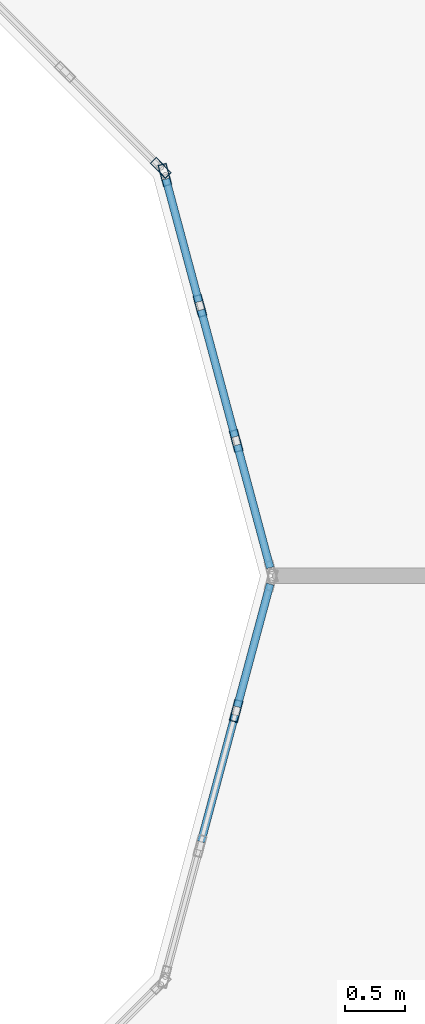
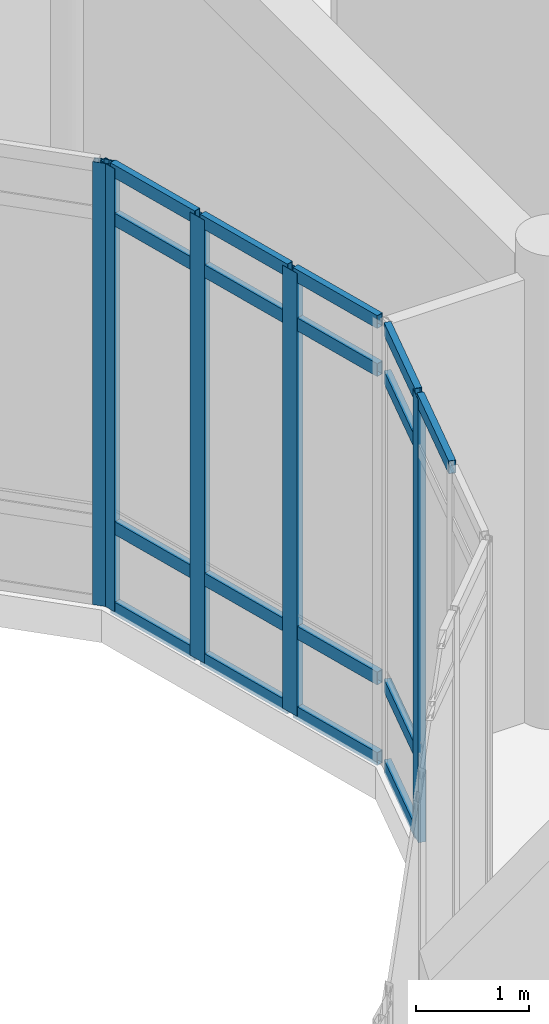
# One storey, part 33 of 134: 22 members, 3 elements without a shape of their own.
"""IFC4 building model written with IfcOpenShell, lengths in metres."""

from ifc_helpers import new_model, si_unit, direction, frame, origin, origin_2d, place, context, subcontext, project, spatial, hollow_rectangle, extrude, material, layer, layer_set, material_profile, profile_set, type_object, element, aggregate, save


model = new_model("IFC4")

# Units and contexts
model_context = context("Model", 3, precision=1e-05, world=origin(), true_north=direction((0.0, 1.0)))
body_context = subcontext(model_context, "Body", "Model", "MODEL_VIEW")
ifc_project = project(units=[si_unit("LENGTHUNIT", "METRE"), si_unit("AREAUNIT", "SQUARE_METRE"), si_unit("VOLUMEUNIT", "CUBIC_METRE"), si_unit("PLANEANGLEUNIT", "RADIAN"), si_unit("MASSUNIT", "GRAM", prefix="KILO")], contexts=[model_context])

# Site, building, storey
site_placement = place(None, origin())
site = spatial("IfcSite", under=ifc_project, at=site_placement, CompositionType="ELEMENT")
building_placement = place(site_placement, origin())
building = spatial("IfcBuilding", under=site, at=building_placement, Name="Bramfleet General Hospital", CompositionType="ELEMENT")
storey_placement = place(building_placement, frame((0.0, 0.0, 9.300048828125)))
storey = spatial("IfcBuildingStorey", under=building, at=storey_placement, Name="L02", CompositionType="ELEMENT", Elevation=9.300048828125)

# Curtain wall, member
ifc_material_1 = material(Name="Anodised aluminium and low-E triple glazing", Category="aluminium")
ifc_layer_1 = layer(ifc_material_1, 0.179931640625, Name="CWT-CW-18")
ifc_layer_set_1 = layer_set([ifc_layer_1], Name="Anodised aluminium and low-E triple glazing")
curtain_wall_type_1 = type_object("IfcCurtainWallType", Name="CWT-CW-18", PredefinedType="USERDEFINED", material=ifc_layer_set_1)
curtain_wall_1_placement = place(storey_placement, origin())
curtain_wall_1 = element("IfcCurtainWall", 1, at=curtain_wall_1_placement, inside=storey, type_object=curtain_wall_type_1, Name="L02 West Clinical Light Court Curtain Wall 6.1", ObjectType="Stick curtain wall", PredefinedType="USERDEFINED")
ifc_material_2 = material(Name="Anodised aluminium EN AW-6060", Category="aluminium")
ifc_material_profile_1 = material_profile(ifc_material_2, hollow_rectangle(XDim=0.070068359375, YDim=0.179931640625, WallThickness=0.00390625, at=origin_2d()), Name="ALU 180x70x4.0")
ifc_profile_set_1 = profile_set([ifc_material_profile_1], Name="Anodised aluminium EN AW-6060")
member_type_1 = type_object("IfcMemberType", Name="CWM-ALU180", PredefinedType="MULLION", material=ifc_profile_set_1)
member_1_placement = place(storey_placement, frame((31.6005859375, 82.88330078125, 0.0), z_axis=(0.0, 0.0, 1.0), x_axis=(-0.965899136003, 0.25891863407, 0.0)))
member_1 = element("IfcMember", 2, at=member_1_placement, type_object=member_type_1, Name="CW-18 mullion 3", PredefinedType="MULLION", context=body_context, shape_type="SweptSolid", body=[
    extrude(hollow_rectangle(XDim=0.070068359375, YDim=0.179931640625, WallThickness=0.00390625, at=origin_2d()), origin(), (0.0, 0.0, 1.0), 4.77001953125),
])

# Curtain wall, members
ifc_layer_2 = layer(ifc_material_1, 0.179931640625, Name="CWT-CW-11")
ifc_layer_set_2 = layer_set([ifc_layer_2], Name="Anodised aluminium and low-E triple glazing")
curtain_wall_type_2 = type_object("IfcCurtainWallType", Name="CWT-CW-11", PredefinedType="USERDEFINED", material=ifc_layer_set_2)
curtain_wall_2_placement = place(storey_placement, origin())
curtain_wall_2 = element("IfcCurtainWall", 3, at=curtain_wall_2_placement, inside=storey, type_object=curtain_wall_type_2, Name="L02 West Clinical Light Court Curtain Wall 7.1", ObjectType="Stick curtain wall", PredefinedType="USERDEFINED")
member_2_placement = place(storey_placement, frame((31.6005859375, 85.11669921875, 0.0), z_axis=(0.0, 0.0, 1.0), x_axis=(-0.965899136003, -0.25891863407, 0.0)))
member_2 = element("IfcMember", 4, at=member_2_placement, type_object=member_type_1, Name="CW-11 mullion 2", PredefinedType="MULLION", context=body_context, shape_type="SweptSolid", body=[
    extrude(hollow_rectangle(XDim=0.070068359375, YDim=0.179931640625, WallThickness=0.00390625, at=origin_2d()), origin(), (0.0, 0.0, 1.0), 4.77001953125),
])
member_3_placement = place(storey_placement, frame((31.30126953125, 86.2333984375, 0.0), z_axis=(0.0, 0.0, 1.0), x_axis=(-0.965899136003, -0.25891863407, 0.0)))
member_3 = element("IfcMember", 5, at=member_3_placement, type_object=member_type_1, Name="CW-11 mullion 3", PredefinedType="MULLION", context=body_context, shape_type="SweptSolid", body=[
    extrude(hollow_rectangle(XDim=0.070068359375, YDim=0.179931640625, WallThickness=0.00390625, at=origin_2d()), origin(), (0.0, 0.0, 1.0), 4.77001953125),
])
member_4_placement = place(storey_placement, frame((31.010986328125, 87.316162109375, 0.0), z_axis=(0.0, 0.0, 1.0), x_axis=(-0.965899136003, -0.25891863407, 0.0)))
member_4 = element("IfcMember", 6, at=member_4_placement, type_object=member_type_1, Name="CW-11 mullion 4", PredefinedType="MULLION", context=body_context, shape_type="SweptSolid", body=[
    extrude(hollow_rectangle(XDim=0.070068359375, YDim=0.179931640625, WallThickness=0.00390625, at=origin_2d()), origin(), (0.0, 0.0, 1.0), 4.77001953125),
])

# Curtain wall, member
ifc_layer_3 = layer(ifc_material_1, 0.179931640625, Name="CWT-CW-12")
ifc_layer_set_3 = layer_set([ifc_layer_3], Name="Anodised aluminium and low-E triple glazing")
curtain_wall_type_3 = type_object("IfcCurtainWallType", Name="CWT-CW-12", PredefinedType="USERDEFINED", material=ifc_layer_set_3)
curtain_wall_3_placement = place(storey_placement, origin())
curtain_wall_3 = element("IfcCurtainWall", 7, at=curtain_wall_3_placement, inside=storey, type_object=curtain_wall_type_3, Name="L02 West Clinical Light Court Curtain Wall 8.1", ObjectType="Stick curtain wall", PredefinedType="USERDEFINED")
member_5_placement = place(storey_placement, frame((30.977294921875, 87.374755859375, 0.0), z_axis=(0.0, 0.0, 1.0), x_axis=(-0.707106781187, -0.707106781187, 0.0)))
member_5 = element("IfcMember", 8, at=member_5_placement, type_object=member_type_1, Name="CW-12 mullion 1", PredefinedType="MULLION", context=body_context, shape_type="SweptSolid", body=[
    extrude(hollow_rectangle(XDim=0.070068359375, YDim=0.179931640625, WallThickness=0.00390625, at=origin_2d()), origin(), (0.0, 0.0, 1.0), 4.77001953125),
])
aggregate(curtain_wall_3, [member_5])

# Member
ifc_material_profile_2 = material_profile(ifc_material_2, hollow_rectangle(XDim=0.06494140625, YDim=0.139892578125, WallThickness=0.00390625, at=origin_2d()), Name="ALU 140x65x4.0")
ifc_profile_set_2 = profile_set([ifc_material_profile_2], Name="Anodised aluminium EN AW-6060")
member_type_2 = type_object("IfcMemberType", Name="CWT-ALU140", PredefinedType="USERDEFINED", material=ifc_profile_set_2)
member_6_placement = place(storey_placement, frame((31.310302734375, 81.800537109375, 4.737548828125), z_axis=(0.258949558843, 0.965890845787, 0.0), x_axis=(-0.965890845787, 0.258949558843, 0.0)))
member_6 = element("IfcMember", 9, at=member_6_placement, type_object=member_type_2, Name="CW-18 transom 2.4", ObjectType="TRANSOM", PredefinedType="USERDEFINED", context=body_context, shape_type="SweptSolid", body=[
    extrude(hollow_rectangle(XDim=0.06494140625, YDim=0.139892578125, WallThickness=0.00390625, at=origin_2d()), origin(), (0.0, 0.0, 1.0), 1.086181640625),
])

member_7_placement = place(storey_placement, frame((31.609619140625, 82.917236328125, 0.032470703125), z_axis=(0.259007003236, 0.965875443458, 0.0), x_axis=(-0.965875443458, 0.259007003236, 0.0)))
member_7 = element("IfcMember", 10, at=member_7_placement, type_object=member_type_2, Name="CW-18 transom 3.1", ObjectType="TRANSOM", PredefinedType="USERDEFINED", context=body_context, shape_type="SweptSolid", body=[
    extrude(hollow_rectangle(XDim=0.06494140625, YDim=0.139892578125, WallThickness=0.00390625, at=origin_2d()), origin(), (0.0, 0.0, 1.0), 1.051025390625),
])

member_8_placement = place(storey_placement, frame((31.609619140625, 82.917236328125, 0.89990234375), z_axis=(0.259007003236, 0.965875443458, 0.0), x_axis=(-0.965875443458, 0.259007003236, 0.0)))
member_8 = element("IfcMember", 11, at=member_8_placement, type_object=member_type_2, Name="CW-18 transom 3.2", ObjectType="TRANSOM", PredefinedType="USERDEFINED", context=body_context, shape_type="SweptSolid", body=[
    extrude(hollow_rectangle(XDim=0.06494140625, YDim=0.139892578125, WallThickness=0.00390625, at=origin_2d()), origin(), (0.0, 0.0, 1.0), 1.051025390625),
])

member_9_placement = place(storey_placement, frame((31.609619140625, 82.917236328125, 4.219970703125), z_axis=(0.259007003236, 0.965875443458, 0.0), x_axis=(-0.965875443458, 0.259007003236, 0.0)))
member_9 = element("IfcMember", 12, at=member_9_placement, type_object=member_type_2, Name="CW-18 transom 3.3", ObjectType="TRANSOM", PredefinedType="USERDEFINED", context=body_context, shape_type="SweptSolid", body=[
    extrude(hollow_rectangle(XDim=0.06494140625, YDim=0.139892578125, WallThickness=0.00390625, at=origin_2d()), origin(), (0.0, 0.0, 1.0), 1.051025390625),
])

member_10_placement = place(storey_placement, frame((31.609619140625, 82.917236328125, 4.737548828125), z_axis=(0.259007003236, 0.965875443458, 0.0), x_axis=(-0.965875443458, 0.259007003236, 0.0)))
member_10 = element("IfcMember", 13, at=member_10_placement, type_object=member_type_2, Name="CW-18 transom 3.4", ObjectType="TRANSOM", PredefinedType="USERDEFINED", context=body_context, shape_type="SweptSolid", body=[
    extrude(hollow_rectangle(XDim=0.06494140625, YDim=0.139892578125, WallThickness=0.00390625, at=origin_2d()), origin(), (0.0, 0.0, 1.0), 1.051025390625),
])

aggregate(curtain_wall_1, [member_1, member_6, member_7, member_8, member_9, member_10])

member_11_placement = place(storey_placement, frame((31.8818359375, 84.067626953125, 0.032470703125), z_axis=(-0.259007003236, 0.965875443458, 0.0), x_axis=(-0.965875443458, -0.259007003236, 0.0)))
member_11 = element("IfcMember", 14, at=member_11_placement, type_object=member_type_2, Name="CW-11 transom 1.1", ObjectType="TRANSOM", PredefinedType="USERDEFINED", context=body_context, shape_type="SweptSolid", body=[
    extrude(hollow_rectangle(XDim=0.06494140625, YDim=0.139892578125, WallThickness=0.00390625, at=origin_2d()), origin(), (0.0, 0.0, 1.0), 1.051025390625),
])

member_12_placement = place(storey_placement, frame((31.8818359375, 84.067626953125, 0.89990234375), z_axis=(-0.259007003236, 0.965875443458, 0.0), x_axis=(-0.965875443458, -0.259007003236, 0.0)))
member_12 = element("IfcMember", 15, at=member_12_placement, type_object=member_type_2, Name="CW-11 transom 1.2", ObjectType="TRANSOM", PredefinedType="USERDEFINED", context=body_context, shape_type="SweptSolid", body=[
    extrude(hollow_rectangle(XDim=0.06494140625, YDim=0.139892578125, WallThickness=0.00390625, at=origin_2d()), origin(), (0.0, 0.0, 1.0), 1.051025390625),
])

member_13_placement = place(storey_placement, frame((31.8818359375, 84.067626953125, 4.219970703125), z_axis=(-0.259007003236, 0.965875443458, 0.0), x_axis=(-0.965875443458, -0.259007003236, 0.0)))
member_13 = element("IfcMember", 16, at=member_13_placement, type_object=member_type_2, Name="CW-11 transom 1.3", ObjectType="TRANSOM", PredefinedType="USERDEFINED", context=body_context, shape_type="SweptSolid", body=[
    extrude(hollow_rectangle(XDim=0.06494140625, YDim=0.139892578125, WallThickness=0.00390625, at=origin_2d()), origin(), (0.0, 0.0, 1.0), 1.051025390625),
])

member_14_placement = place(storey_placement, frame((31.8818359375, 84.067626953125, 4.737548828125), z_axis=(-0.259007003236, 0.965875443458, 0.0), x_axis=(-0.965875443458, -0.259007003236, 0.0)))
member_14 = element("IfcMember", 17, at=member_14_placement, type_object=member_type_2, Name="CW-11 transom 1.4", ObjectType="TRANSOM", PredefinedType="USERDEFINED", context=body_context, shape_type="SweptSolid", body=[
    extrude(hollow_rectangle(XDim=0.06494140625, YDim=0.139892578125, WallThickness=0.00390625, at=origin_2d()), origin(), (0.0, 0.0, 1.0), 1.051025390625),
])

member_15_placement = place(storey_placement, frame((31.591552734375, 85.150390625, 0.032470703125), z_axis=(-0.258949558843, 0.965890845787, 0.0), x_axis=(-0.965890845787, -0.258949558843, 0.0)))
member_15 = element("IfcMember", 18, at=member_15_placement, type_object=member_type_2, Name="CW-11 transom 2.1", ObjectType="TRANSOM", PredefinedType="USERDEFINED", context=body_context, shape_type="SweptSolid", body=[
    extrude(hollow_rectangle(XDim=0.06494140625, YDim=0.139892578125, WallThickness=0.00390625, at=origin_2d()), origin(), (0.0, 0.0, 1.0), 1.086181640625),
])

member_16_placement = place(storey_placement, frame((31.591552734375, 85.150390625, 0.89990234375), z_axis=(-0.258949558843, 0.965890845787, 0.0), x_axis=(-0.965890845787, -0.258949558843, 0.0)))
member_16 = element("IfcMember", 19, at=member_16_placement, type_object=member_type_2, Name="CW-11 transom 2.2", ObjectType="TRANSOM", PredefinedType="USERDEFINED", context=body_context, shape_type="SweptSolid", body=[
    extrude(hollow_rectangle(XDim=0.06494140625, YDim=0.139892578125, WallThickness=0.00390625, at=origin_2d()), origin(), (0.0, 0.0, 1.0), 1.086181640625),
])

member_17_placement = place(storey_placement, frame((31.591552734375, 85.150390625, 4.219970703125), z_axis=(-0.258949558843, 0.965890845787, 0.0), x_axis=(-0.965890845787, -0.258949558843, 0.0)))
member_17 = element("IfcMember", 20, at=member_17_placement, type_object=member_type_2, Name="CW-11 transom 2.3", ObjectType="TRANSOM", PredefinedType="USERDEFINED", context=body_context, shape_type="SweptSolid", body=[
    extrude(hollow_rectangle(XDim=0.06494140625, YDim=0.139892578125, WallThickness=0.00390625, at=origin_2d()), origin(), (0.0, 0.0, 1.0), 1.086181640625),
])

member_18_placement = place(storey_placement, frame((31.591552734375, 85.150390625, 4.737548828125), z_axis=(-0.258949558843, 0.965890845787, 0.0), x_axis=(-0.965890845787, -0.258949558843, 0.0)))
member_18 = element("IfcMember", 21, at=member_18_placement, type_object=member_type_2, Name="CW-11 transom 2.4", ObjectType="TRANSOM", PredefinedType="USERDEFINED", context=body_context, shape_type="SweptSolid", body=[
    extrude(hollow_rectangle(XDim=0.06494140625, YDim=0.139892578125, WallThickness=0.00390625, at=origin_2d()), origin(), (0.0, 0.0, 1.0), 1.086181640625),
])

member_19_placement = place(storey_placement, frame((31.292236328125, 86.26708984375, 0.032470703125), z_axis=(-0.258948903342, 0.965891021523, 0.0), x_axis=(-0.965891021523, -0.258948903342, 0.0)))
member_19 = element("IfcMember", 22, at=member_19_placement, type_object=member_type_2, Name="CW-11 transom 3.1", ObjectType="TRANSOM", PredefinedType="USERDEFINED", context=body_context, shape_type="SweptSolid", body=[
    extrude(hollow_rectangle(XDim=0.06494140625, YDim=0.139892578125, WallThickness=0.00390625, at=origin_2d()), origin(), (0.0, 0.0, 1.0), 1.05126953125),
])

member_20_placement = place(storey_placement, frame((31.292236328125, 86.26708984375, 0.89990234375), z_axis=(-0.258948903342, 0.965891021523, 0.0), x_axis=(-0.965891021523, -0.258948903342, 0.0)))
member_20 = element("IfcMember", 23, at=member_20_placement, type_object=member_type_2, Name="CW-11 transom 3.2", ObjectType="TRANSOM", PredefinedType="USERDEFINED", context=body_context, shape_type="SweptSolid", body=[
    extrude(hollow_rectangle(XDim=0.06494140625, YDim=0.139892578125, WallThickness=0.00390625, at=origin_2d()), origin(), (0.0, 0.0, 1.0), 1.05126953125),
])

member_21_placement = place(storey_placement, frame((31.292236328125, 86.26708984375, 4.219970703125), z_axis=(-0.258948903342, 0.965891021523, 0.0), x_axis=(-0.965891021523, -0.258948903342, 0.0)))
member_21 = element("IfcMember", 24, at=member_21_placement, type_object=member_type_2, Name="CW-11 transom 3.3", ObjectType="TRANSOM", PredefinedType="USERDEFINED", context=body_context, shape_type="SweptSolid", body=[
    extrude(hollow_rectangle(XDim=0.06494140625, YDim=0.139892578125, WallThickness=0.00390625, at=origin_2d()), origin(), (0.0, 0.0, 1.0), 1.05126953125),
])

member_22_placement = place(storey_placement, frame((31.292236328125, 86.26708984375, 4.737548828125), z_axis=(-0.258948903342, 0.965891021523, 0.0), x_axis=(-0.965891021523, -0.258948903342, 0.0)))
member_22 = element("IfcMember", 25, at=member_22_placement, type_object=member_type_2, Name="CW-11 transom 3.4", ObjectType="TRANSOM", PredefinedType="USERDEFINED", context=body_context, shape_type="SweptSolid", body=[
    extrude(hollow_rectangle(XDim=0.06494140625, YDim=0.139892578125, WallThickness=0.00390625, at=origin_2d()), origin(), (0.0, 0.0, 1.0), 1.05126953125),
])

aggregate(curtain_wall_2, [member_2, member_3, member_4, member_11, member_12, member_13, member_14, member_15, member_16, member_17, member_18, member_19, member_20, member_21, member_22])

save(model, "model.ifc")
